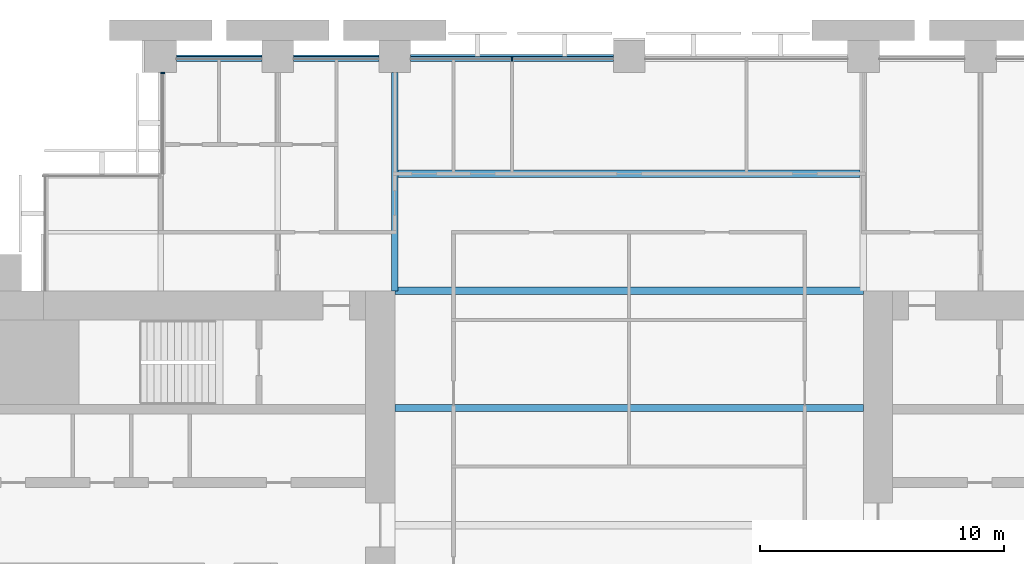
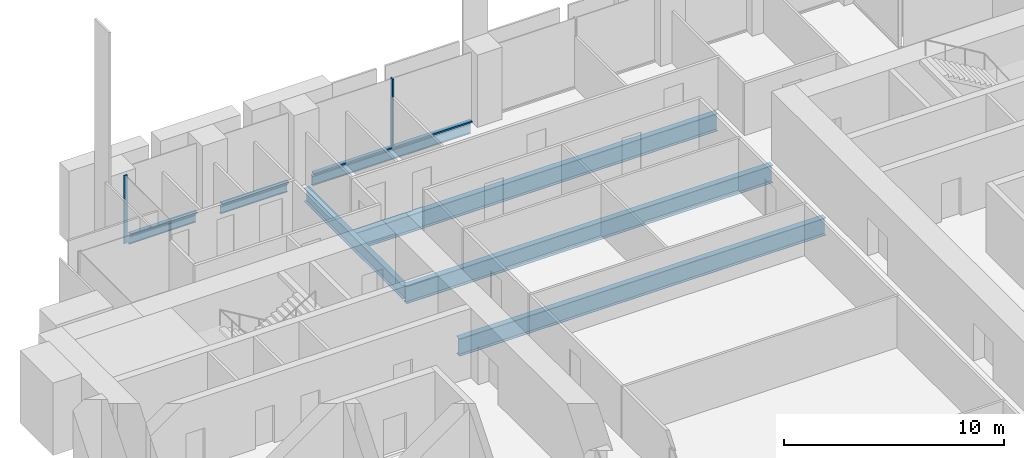
# One storey, part 6 of 14: 7 beams, 5 members, 2 elements without a shape of their own.
"""IFC4 building model written with IfcOpenShell, lengths in metres."""

from ifc_helpers import new_model, si_unit, direction, frame, origin, origin_2d, place, context, subcontext, project, spatial, rectangle, i_section, extrude, material, material_profile, profile_set, type_object, element, aggregate, save


model = new_model("IFC4")

# Units and contexts
model_context = context("Model", 3, precision=1e-05, world=origin(), true_north=direction((0.0, 1.0)))
body_context = subcontext(model_context, "Body", "Model", "MODEL_VIEW")
ifc_project = project(units=[si_unit("LENGTHUNIT", "METRE"), si_unit("AREAUNIT", "SQUARE_METRE"), si_unit("VOLUMEUNIT", "CUBIC_METRE"), si_unit("PLANEANGLEUNIT", "RADIAN"), si_unit("MASSUNIT", "GRAM", prefix="KILO")], contexts=[model_context])

# Site, building, storey
site_placement = place(None, origin())
site = spatial("IfcSite", under=ifc_project, at=site_placement, CompositionType="ELEMENT")
building_placement = place(site_placement, origin())
building = spatial("IfcBuilding", under=site, at=building_placement, Name="Baori Bourse Tower", CompositionType="ELEMENT")
storey_placement = place(building_placement, frame((0.0, 0.0, 63.0)))
storey = spatial("IfcBuildingStorey", under=building, at=storey_placement, Name="L13", CompositionType="ELEMENT", Elevation=63.0)

# Curtain wall, members
ifc_material_1 = material(Name="Pale anodised aluminium", Category="aluminium")
curtain_wall_type_1 = type_object("IfcCurtainWallType", Name="CW1 Curtain wall", PredefinedType="NOTDEFINED", material=ifc_material_1)
curtain_wall_1_placement = place(storey_placement, origin())
curtain_wall_1 = element("IfcCurtainWall", 1, at=curtain_wall_1_placement, inside=storey, type_object=curtain_wall_type_1, Name="Curtain wall CW1 L13 4", PredefinedType="NOTDEFINED")
ifc_material_2 = material(Name="Pale anodised aluminium", Category="aluminium")
ifc_material_profile_1 = material_profile(ifc_material_2, rectangle(XDim=0.199951171875, YDim=0.06005859375, at=origin_2d()), Name="Mullion 60x200")
ifc_profile_set_1 = profile_set([ifc_material_profile_1], Name="Pale anodised aluminium")
member_type_1 = type_object("IfcMemberType", Name="CW1 Curtain wall mullion", PredefinedType="MULLION", material=ifc_profile_set_1)
member_1_placement = place(storey_placement, frame((24.0, 47.89990234375, 0.080078125), z_axis=(0.0, 0.0, 1.0), x_axis=(0.0, -1.0, 0.0)))
member_1 = element("IfcMember", 2, at=member_1_placement, type_object=member_type_1, Name="Curtain wall CW1 mullion", PredefinedType="MULLION", context=body_context, shape_type="SweptSolid", body=[
    extrude(rectangle(XDim=0.199951171875, YDim=0.06005859375, at=origin_2d()), origin(), (0.0, 0.0, 1.0), 3.760009765625),
])
ifc_material_3 = material(Name="Pale anodised aluminium", Category="aluminium")
ifc_material_profile_2 = material_profile(ifc_material_3, rectangle(XDim=0.199951171875, YDim=0.080078125, at=origin_2d()), Name="Transom 80x200")
ifc_profile_set_2 = profile_set([ifc_material_profile_2], Name="Pale anodised aluminium")
member_type_2 = type_object("IfcMemberType", Name="CW1 Curtain wall transom", PredefinedType="USERDEFINED", material=ifc_profile_set_2)
member_2_placement = place(storey_placement, frame((28.14990234375, 47.89990234375, 0.0400390625), z_axis=(-1.0, 0.0, 0.0), x_axis=(0.0, -1.0, 0.0)))
member_2 = element("IfcMember", 3, at=member_2_placement, type_object=member_type_2, Name="Curtain wall CW1 sill rail", ObjectType="TRANSOM", PredefinedType="USERDEFINED", context=body_context, shape_type="SweptSolid", body=[
    extrude(rectangle(XDim=0.199951171875, YDim=0.080078125, at=origin_2d()), origin(), (0.0, 0.0, 1.0), 8.2998046875),
])
member_3_placement = place(storey_placement, frame((18.550048828125, 47.89990234375, 0.0400390625), z_axis=(-1.0, 0.0, 0.0), x_axis=(0.0, -1.0, 0.0)))
member_3 = element("IfcMember", 4, at=member_3_placement, type_object=member_type_2, Name="Curtain wall CW1 sill rail", ObjectType="TRANSOM", PredefinedType="USERDEFINED", context=body_context, shape_type="SweptSolid", body=[
    extrude(rectangle(XDim=0.199951171875, YDim=0.080078125, at=origin_2d()), origin(), (0.0, 0.0, 1.0), 3.5),
])
member_4_placement = place(storey_placement, frame((13.75, 47.89990234375, 0.0400390625), z_axis=(-1.0, 0.0, 0.0), x_axis=(0.0, -1.0, 0.0)))
member_4 = element("IfcMember", 5, at=member_4_placement, type_object=member_type_2, Name="Curtain wall CW1 sill rail", ObjectType="TRANSOM", PredefinedType="USERDEFINED", context=body_context, shape_type="SweptSolid", body=[
    extrude(rectangle(XDim=0.199951171875, YDim=0.080078125, at=origin_2d()), origin(), (0.0, 0.0, 1.0), 3.5),
])
aggregate(curtain_wall_1, [member_2, member_1, member_3, member_4])

# Curtain wall, member
ifc_material_4 = material(Name="Pale anodised aluminium", Category="aluminium")
curtain_wall_type_2 = type_object("IfcCurtainWallType", Name="CW2 Curtain wall", PredefinedType="NOTDEFINED", material=ifc_material_4)
curtain_wall_2_placement = place(storey_placement, origin())
curtain_wall_2 = element("IfcCurtainWall", 6, at=curtain_wall_2_placement, inside=storey, type_object=curtain_wall_type_2, Name="Curtain wall CW2 L13 5", PredefinedType="NOTDEFINED")
ifc_material_5 = material(Name="Pale anodised aluminium", Category="aluminium")
ifc_material_profile_3 = material_profile(ifc_material_5, rectangle(XDim=0.179931640625, YDim=0.054931640625, at=origin_2d()), Name="Mullion 55x180")
ifc_profile_set_3 = profile_set([ifc_material_profile_3], Name="Pale anodised aluminium")
member_type_3 = type_object("IfcMemberType", Name="CW2 Curtain wall mullion", PredefinedType="MULLION", material=ifc_profile_set_3)
member_5_placement = place(storey_placement, frame((9.68994140625, 47.322509765625, 0.070068359375), z_axis=(0.0, 0.0, 1.0), x_axis=(1.0, 0.0, 0.0)))
member_5 = element("IfcMember", 7, at=member_5_placement, type_object=member_type_3, Name="Curtain wall CW2 mullion", PredefinedType="MULLION", context=body_context, shape_type="SweptSolid", body=[
    extrude(rectangle(XDim=0.179931640625, YDim=0.054931640625, at=origin_2d()), origin(), (0.0, 0.0, 1.0), 3.77001953125),
])
aggregate(curtain_wall_2, [member_5])

# Beams
ifc_material_6 = material(Name="Steel A992 Gr 50", Category="steel")
ifc_material_profile_4 = material_profile(ifc_material_6, i_section(OverallWidth=0.140380859375, OverallDepth=0.40380859375, WebThickness=0.007080078125, FlangeThickness=0.01123046875, at=origin_2d()), Name="W16x31")
ifc_profile_set_4 = profile_set([ifc_material_profile_4], Name="Steel A992 Gr 50")
beam_type_1 = type_object("IfcBeamType", Name="Edge beam W16x31", PredefinedType="BEAM", material=ifc_profile_set_4)
for number, where, z_axis, x_axis, name in (
    (8, (10.25, 48.0, -0.36181640625), (1.0, 0.0, 0.0), (0.0, 1.0, 0.0), "Edge beam L13"),
    (9, (15.050048828125, 48.0, -0.36181640625), (1.0, 0.0, 0.0), (0.0, 1.0, 0.0), "Edge beam L13"),
):
    element("IfcBeam", number, at=place(storey_placement, frame(where, z_axis=z_axis, x_axis=x_axis)), inside=storey, type_object=beam_type_1, Name=name, PredefinedType="BEAM", context=body_context, shape_type="SweptSolid", body=[
        extrude(i_section(OverallWidth=0.140380859375, OverallDepth=0.40380859375, WebThickness=0.007080078125, FlangeThickness=0.01123046875, at=origin_2d()), origin(), (0.0, 0.0, 1.0), 3.5),
    ])
ifc_material_7 = material(Name="Steel A992 Gr 50", Category="steel")
ifc_material_profile_5 = material_profile(ifc_material_7, i_section(OverallWidth=0.1650390625, OverallDepth=0.52587890625, WebThickness=0.0087890625, FlangeThickness=0.011474609375, at=origin_2d()), Name="W21x44")
ifc_profile_set_5 = profile_set([ifc_material_profile_5], Name="Steel A992 Gr 50")
beam_type_2 = type_object("IfcBeamType", Name="Edge beam W21x44", PredefinedType="BEAM", material=ifc_profile_set_5)
beam_1_placement = place(storey_placement, frame((19.85009765625, 48.0, -0.4228515625), z_axis=(1.0, 0.0, 0.0), x_axis=(0.0, 1.0, 0.0)))
element("IfcBeam", 10, at=beam_1_placement, inside=storey, type_object=beam_type_2, Name="Edge beam L13", PredefinedType="BEAM", context=body_context, shape_type="SweptSolid", body=[
    extrude(i_section(OverallWidth=0.1650390625, OverallDepth=0.52587890625, WebThickness=0.0087890625, FlangeThickness=0.011474609375, at=origin_2d()), origin(), (0.0, 0.0, 1.0), 8.2998046875),
])
ifc_material_8 = material(Name="Steel A992 Gr 50", Category="steel")
ifc_material_profile_6 = material_profile(ifc_material_8, i_section(OverallWidth=0.2998046875, OverallDepth=0.97021484375, WebThickness=0.01611328125, FlangeThickness=0.02099609375, at=origin_2d()), Name="W40x149")
ifc_profile_set_6 = profile_set([ifc_material_profile_6], Name="Steel A992 Gr 50")
beam_type_3 = type_object("IfcBeamType", Name="Floor beam W40x149", PredefinedType="BEAM", material=ifc_profile_set_6)
for number, where, z_axis, x_axis, name in (
    (11, (19.199951171875, 33.60009765625, -0.64501953125), (1.0, 0.0, 0.0), (0.0, 1.0, 0.0), "Floor beam L13"),
    (12, (19.199951171875, 38.39990234375, -0.64501953125), (1.0, 0.0, 0.0), (0.0, 1.0, 0.0), "Floor beam L13"),
):
    element("IfcBeam", number, at=place(storey_placement, frame(where, z_axis=z_axis, x_axis=x_axis)), inside=storey, type_object=beam_type_3, Name=name, PredefinedType="BEAM", context=body_context, shape_type="SweptSolid", body=[
        extrude(i_section(OverallWidth=0.2998046875, OverallDepth=0.97021484375, WebThickness=0.01611328125, FlangeThickness=0.02099609375, at=origin_2d()), origin(), (0.0, 0.0, 1.0), 19.199951171875),
    ])
beam_2_placement = place(storey_placement, frame((19.333251953125, 43.199951171875, -0.64501953125), z_axis=(1.0, 0.0, 0.0), x_axis=(0.0, 1.0, 0.0)))
element("IfcBeam", 13, at=beam_2_placement, inside=storey, type_object=beam_type_3, Name="Floor beam L13", PredefinedType="BEAM", context=body_context, shape_type="SweptSolid", body=[
    extrude(i_section(OverallWidth=0.2998046875, OverallDepth=0.97021484375, WebThickness=0.01611328125, FlangeThickness=0.02099609375, at=origin_2d()), origin(), (0.0, 0.0, 1.0), 18.933349609375),
])
ifc_material_9 = material(Name="Steel A992 Gr 50", Category="steel")
ifc_material_profile_7 = material_profile(ifc_material_9, i_section(OverallWidth=0.2666015625, OverallDepth=0.7568359375, WebThickness=0.013916015625, FlangeThickness=0.019287109375, at=origin_2d()), Name="W30x108")
ifc_profile_set_7 = profile_set([ifc_material_profile_7], Name="Steel A992 Gr 50")
beam_type_4 = type_object("IfcBeamType", Name="Girder W30x108", PredefinedType="BEAM", material=ifc_profile_set_7)
beam_3_placement = place(storey_placement, frame((19.199951171875, 38.39990234375, -0.53857421875), z_axis=(0.0, 1.0, 0.0), x_axis=(-1.0, 0.0, 0.0)))
element("IfcBeam", 14, at=beam_3_placement, inside=storey, type_object=beam_type_4, Name="Girder L13", PredefinedType="BEAM", context=body_context, shape_type="SweptSolid", body=[
    extrude(i_section(OverallWidth=0.2666015625, OverallDepth=0.7568359375, WebThickness=0.013916015625, FlangeThickness=0.019287109375, at=origin_2d()), origin(), (0.0, 0.0, 1.0), 8.9501953125),
])

save(model, "model.ifc")
